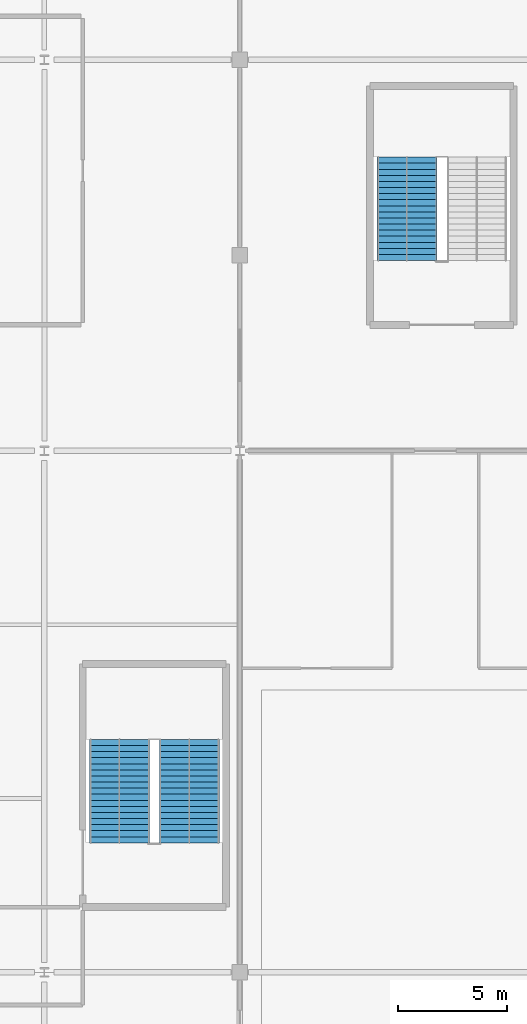
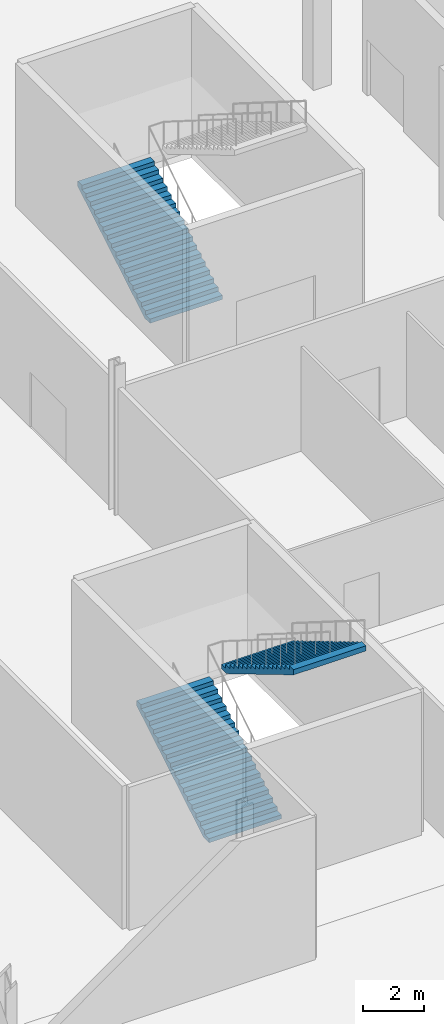
# One storey, part 59 of 84: 3 stair flights, 2 elements without a shape of their own.
"""IFC4 building model written with IfcOpenShell, lengths in metres."""

from ifc_helpers import new_model, si_unit, direction, frame, origin, place, context, subcontext, project, spatial, polygons, material, type_object, element, aggregate, save


model = new_model("IFC4")

# Units and contexts
model_context = context("Model", 3, precision=1e-05, world=origin(), true_north=direction((0.0, 1.0)))
body_context = subcontext(model_context, "Body", "Model", "MODEL_VIEW")
ifc_project = project(units=[si_unit("LENGTHUNIT", "METRE"), si_unit("AREAUNIT", "SQUARE_METRE"), si_unit("VOLUMEUNIT", "CUBIC_METRE"), si_unit("PLANEANGLEUNIT", "RADIAN"), si_unit("MASSUNIT", "GRAM", prefix="KILO")], contexts=[model_context])

# Site, building, storey
site_placement = place(None, origin())
site = spatial("IfcSite", under=ifc_project, at=site_placement, CompositionType="ELEMENT")
building_placement = place(site_placement, origin())
building = spatial("IfcBuilding", under=site, at=building_placement, Name="Kisiwana Market Hall", CompositionType="ELEMENT")
storey_placement = place(building_placement, origin())
storey = spatial("IfcBuildingStorey", under=building, at=storey_placement, Name="L00", CompositionType="ELEMENT", Elevation=0.0)

# Stair, stair flights
ifc_material_1 = material(Name="Concrete C32/40", Category="concrete")
stair_type = type_object("IfcStairType", Name="ST-ESC-6000", PredefinedType="TWO_STRAIGHT_RUN_STAIR", material=ifc_material_1)
stair_1_placement = place(storey_placement, origin())
stair_1 = element("IfcStair", 1, at=stair_1_placement, inside=storey, type_object=stair_type, Name="Escape stair ST-W10-L00", PredefinedType="TWO_STRAIGHT_RUN_STAIR")
ifc_material_2 = material(Name="Concrete C32/40", Category="concrete")
stair_flight_type = type_object("IfcStairFlightType", Name="SF-ESC-6000", PredefinedType="STRAIGHT", material=ifc_material_2)
stair_flight_1_placement = place(storey_placement, frame((39.4599609375, 65.9599609375, 0.0), z_axis=(0.0, 0.0, 1.0), x_axis=(0.0, 1.0, 0.0)))
stair_flight_1 = element("IfcStairFlight", 2, at=stair_flight_1_placement, type_object=stair_flight_type, Name="ST-W10-L00 flight 1", NumberOfRisers=18, NumberOfTreads=17, PredefinedType="STRAIGHT", RiserHeight=0.166667, TreadLength=0.28, context=body_context, shape_type="Tessellation", body=[
    polygons([(0.0, -1.380127, 0.0), (0.0, -0.690125, 0.0), (0.0, -0.000122, 0.0), (0.0, 0.68988, 0.0), (0.0, 1.379883, 0.0), (0.0, -1.380127, 0.166748), (0.0, -0.690125, 0.166748), (0.0, -0.000122, 0.166748), (0.0, 0.68988, 0.166748), (0.0, 1.379883, 0.166748), (0.280029, -1.380127, 0.166748), (0.280029, -0.690125, 0.166748), (0.280029, -0.000122, 0.166748), (0.280029, 0.68988, 0.166748), (0.280029, 1.379883, 0.166748), (0.280029, -1.380127, 0.333252), (0.280029, -0.690125, 0.333252), (0.280029, -0.000122, 0.333252), (0.280029, 0.68988, 0.333252), (0.280029, 1.379883, 0.333252), (0.560059, -1.380127, 0.333252), (0.560059, -0.690125, 0.333252), (0.560059, -0.000122, 0.333252), (0.560059, 0.68988, 0.333252), (0.560059, 1.379883, 0.333252), (0.560059, -1.380127, 0.5), (0.560059, -0.690125, 0.5), (0.560059, -0.000122, 0.5), (0.560059, 0.68988, 0.5), (0.560059, 1.379883, 0.5), (0.840088, -1.380127, 0.5), (0.840088, -0.690125, 0.5), (0.840088, -0.000122, 0.5), (0.840088, 0.68988, 0.5), (0.840088, 1.379883, 0.5), (0.840088, -1.380127, 0.666748), (0.840088, -0.690125, 0.666748), (0.840088, -0.000122, 0.666748), (0.840088, 0.68988, 0.666748), (0.840088, 1.379883, 0.666748), (1.120117, -1.380127, 0.666748), (1.120117, -0.690125, 0.666748), (1.120117, -0.000122, 0.666748), (1.120117, 0.68988, 0.666748), (1.120117, 1.379883, 0.666748), (1.120117, -1.380127, 0.833252), (1.120117, -0.690125, 0.833252), (1.120117, -0.000122, 0.833252), (1.120117, 0.68988, 0.833252), (1.120117, 1.379883, 0.833252), (1.399902, -1.380127, 0.833252), (1.399902, -0.690125, 0.833252), (1.399902, -0.000122, 0.833252), (1.399902, 0.68988, 0.833252), (1.399902, 1.379883, 0.833252), (1.399902, -1.380127, 1.0), (1.399902, -0.690125, 1.0), (1.399902, -0.000122, 1.0), (1.399902, 0.68988, 1.0), (1.399902, 1.379883, 1.0), (1.679932, -1.380127, 1.0), (1.679932, -0.690125, 1.0), (1.679932, -0.000122, 1.0), (1.679932, 0.68988, 1.0), (1.679932, 1.379883, 1.0), (1.679932, -1.380127, 1.166748), (1.679932, -0.690125, 1.166748), (1.679932, -0.000122, 1.166748), (1.679932, 0.68988, 1.166748), (1.679932, 1.379883, 1.166748), (1.959961, -1.380127, 1.166748), (1.959961, -0.690125, 1.166748), (1.959961, -0.000122, 1.166748), (1.959961, 0.68988, 1.166748), (1.959961, 1.379883, 1.166748), (1.959961, -1.380127, 1.333252), (1.959961, -0.690125, 1.333252), (1.959961, -0.000122, 1.333252), (1.959961, 0.68988, 1.333252), (1.959961, 1.379883, 1.333252), (2.23999, -1.380127, 1.333252), (2.23999, -0.690125, 1.333252), (2.23999, -0.000122, 1.333252), (2.23999, 0.68988, 1.333252), (2.23999, 1.379883, 1.333252), (2.23999, -1.380127, 1.5), (2.23999, -0.690125, 1.5), (2.23999, -0.000122, 1.5), (2.23999, 0.68988, 1.5), (2.23999, 1.379883, 1.5), (2.52002, -1.380127, 1.5), (2.52002, -0.690125, 1.5), (2.52002, -0.000122, 1.5), (2.52002, 0.68988, 1.5), (2.52002, 1.379883, 1.5), (2.52002, -1.380127, 1.666748), (2.52002, -0.690125, 1.666748), (2.52002, -0.000122, 1.666748), (2.52002, 0.68988, 1.666748), (2.52002, 1.379883, 1.666748), (2.800049, -1.380127, 1.666748), (2.800049, -0.690125, 1.666748), (2.800049, -0.000122, 1.666748), (2.800049, 0.68988, 1.666748), (2.800049, 1.379883, 1.666748), (2.800049, -1.380127, 1.833252), (2.800049, -0.690125, 1.833252), (2.800049, -0.000122, 1.833252), (2.800049, 0.68988, 1.833252), (2.800049, 1.379883, 1.833252), (3.080078, -1.380127, 1.833252), (3.080078, -0.690125, 1.833252), (3.080078, -0.000122, 1.833252), (3.080078, 0.68988, 1.833252), (3.080078, 1.379883, 1.833252), (3.080078, -1.380127, 2.0), (3.080078, -0.690125, 2.0), (3.080078, -0.000122, 2.0), (3.080078, 0.68988, 2.0), (3.080078, 1.379883, 2.0), (3.360107, -1.380127, 2.0), (3.360107, -0.690125, 2.0), (3.360107, -0.000122, 2.0), (3.360107, 0.68988, 2.0), (3.360107, 1.379883, 2.0), (3.360107, -1.380127, 2.166748), (3.360107, -0.690125, 2.166748), (3.360107, -0.000122, 2.166748), (3.360107, 0.68988, 2.166748), (3.360107, 1.379883, 2.166748), (3.639893, -1.380127, 2.166748), (3.639893, -0.690125, 2.166748), (3.639893, -0.000122, 2.166748), (3.639893, 0.68988, 2.166748), (3.639893, 1.379883, 2.166748), (3.639893, -1.380127, 2.333252), (3.639893, -0.690125, 2.333252), (3.639893, -0.000122, 2.333252), (3.639893, 0.68988, 2.333252), (3.639893, 1.379883, 2.333252), (3.919922, -1.380127, 2.333252), (3.919922, -0.690125, 2.333252), (3.919922, -0.000122, 2.333252), (3.919922, 0.68988, 2.333252), (3.919922, 1.379883, 2.333252), (3.919922, -1.380127, 2.5), (3.919922, -0.690125, 2.5), (3.919922, -0.000122, 2.5), (3.919922, 0.68988, 2.5), (3.919922, 1.379883, 2.5), (4.199951, -1.380127, 2.5), (4.199951, -0.690125, 2.5), (4.199951, -0.000122, 2.5), (4.199951, 0.68988, 2.5), (4.199951, 1.379883, 2.5), (4.199951, -1.380127, 2.666748), (4.199951, -0.690125, 2.666748), (4.199951, -0.000122, 2.666748), (4.199951, 0.68988, 2.666748), (4.199951, 1.379883, 2.666748), (4.47998, -1.380127, 2.666748), (4.47998, -0.690125, 2.666748), (4.47998, -0.000122, 2.666748), (4.47998, 0.68988, 2.666748), (4.47998, 1.379883, 2.666748), (4.47998, -1.380127, 2.833252), (4.47998, -0.690125, 2.833252), (4.47998, -0.000122, 2.833252), (4.47998, 0.68988, 2.833252), (4.47998, 1.379883, 2.833252), (4.76001, -1.380127, 2.833252), (4.76001, -0.690125, 2.833252), (4.76001, -0.000122, 2.833252), (4.76001, 0.68988, 2.833252), (4.76001, 1.379883, 2.833252), (4.76001, -1.380127, 2.624023), (4.76001, -0.690125, 2.624023), (4.76001, -0.000122, 2.624023), (4.76001, 0.68988, 2.624023), (4.76001, 1.379883, 2.624023), (0.351807, -1.380127, 0.0), (0.351807, -0.690125, 0.0), (0.351807, -0.000122, 0.0), (0.351807, 0.68988, 0.0), (0.351807, 1.379883, 0.0)], [[[1, 6, 7, 2]], [[2, 7, 8, 3]], [[3, 8, 9, 4]], [[4, 9, 10, 5]], [[6, 11, 12, 7]], [[7, 12, 13, 8]], [[8, 13, 14, 9]], [[9, 14, 15, 10]], [[11, 16, 17, 12]], [[12, 17, 18, 13]], [[13, 18, 19, 14]], [[14, 19, 20, 15]], [[16, 21, 22, 17]], [[17, 22, 23, 18]], [[18, 23, 24, 19]], [[19, 24, 25, 20]], [[21, 26, 27, 22]], [[22, 27, 28, 23]], [[23, 28, 29, 24]], [[24, 29, 30, 25]], [[26, 31, 32, 27]], [[27, 32, 33, 28]], [[28, 33, 34, 29]], [[29, 34, 35, 30]], [[31, 36, 37, 32]], [[32, 37, 38, 33]], [[33, 38, 39, 34]], [[34, 39, 40, 35]], [[36, 41, 42, 37]], [[37, 42, 43, 38]], [[38, 43, 44, 39]], [[39, 44, 45, 40]], [[41, 46, 47, 42]], [[42, 47, 48, 43]], [[43, 48, 49, 44]], [[44, 49, 50, 45]], [[46, 51, 52, 47]], [[47, 52, 53, 48]], [[48, 53, 54, 49]], [[49, 54, 55, 50]], [[51, 56, 57, 52]], [[52, 57, 58, 53]], [[53, 58, 59, 54]], [[54, 59, 60, 55]], [[56, 61, 62, 57]], [[57, 62, 63, 58]], [[58, 63, 64, 59]], [[59, 64, 65, 60]], [[61, 66, 67, 62]], [[62, 67, 68, 63]], [[63, 68, 69, 64]], [[64, 69, 70, 65]], [[66, 71, 72, 67]], [[67, 72, 73, 68]], [[68, 73, 74, 69]], [[69, 74, 75, 70]], [[71, 76, 77, 72]], [[72, 77, 78, 73]], [[73, 78, 79, 74]], [[74, 79, 80, 75]], [[76, 81, 82, 77]], [[77, 82, 83, 78]], [[78, 83, 84, 79]], [[79, 84, 85, 80]], [[81, 86, 87, 82]], [[82, 87, 88, 83]], [[83, 88, 89, 84]], [[84, 89, 90, 85]], [[86, 91, 92, 87]], [[87, 92, 93, 88]], [[88, 93, 94, 89]], [[89, 94, 95, 90]], [[91, 96, 97, 92]], [[92, 97, 98, 93]], [[93, 98, 99, 94]], [[94, 99, 100, 95]], [[96, 101, 102, 97]], [[97, 102, 103, 98]], [[98, 103, 104, 99]], [[99, 104, 105, 100]], [[101, 106, 107, 102]], [[102, 107, 108, 103]], [[103, 108, 109, 104]], [[104, 109, 110, 105]], [[106, 111, 112, 107]], [[107, 112, 113, 108]], [[108, 113, 114, 109]], [[109, 114, 115, 110]], [[111, 116, 117, 112]], [[112, 117, 118, 113]], [[113, 118, 119, 114]], [[114, 119, 120, 115]], [[116, 121, 122, 117]], [[117, 122, 123, 118]], [[118, 123, 124, 119]], [[119, 124, 125, 120]], [[121, 126, 127, 122]], [[122, 127, 128, 123]], [[123, 128, 129, 124]], [[124, 129, 130, 125]], [[126, 131, 132, 127]], [[127, 132, 133, 128]], [[128, 133, 134, 129]], [[129, 134, 135, 130]], [[131, 136, 137, 132]], [[132, 137, 138, 133]], [[133, 138, 139, 134]], [[134, 139, 140, 135]], [[136, 141, 142, 137]], [[137, 142, 143, 138]], [[138, 143, 144, 139]], [[139, 144, 145, 140]], [[141, 146, 147, 142]], [[142, 147, 148, 143]], [[143, 148, 149, 144]], [[144, 149, 150, 145]], [[146, 151, 152, 147]], [[147, 152, 153, 148]], [[148, 153, 154, 149]], [[149, 154, 155, 150]], [[151, 156, 157, 152]], [[152, 157, 158, 153]], [[153, 158, 159, 154]], [[154, 159, 160, 155]], [[156, 161, 162, 157]], [[157, 162, 163, 158]], [[158, 163, 164, 159]], [[159, 164, 165, 160]], [[161, 166, 167, 162]], [[162, 167, 168, 163]], [[163, 168, 169, 164]], [[164, 169, 170, 165]], [[166, 171, 172, 167]], [[167, 172, 173, 168]], [[168, 173, 174, 169]], [[169, 174, 175, 170]], [[171, 176, 177, 172]], [[172, 177, 178, 173]], [[173, 178, 179, 174]], [[174, 179, 180, 175]], [[176, 181, 182, 177]], [[177, 182, 183, 178]], [[178, 183, 184, 179]], [[179, 184, 185, 180]], [[181, 1, 2, 182]], [[182, 2, 3, 183]], [[183, 3, 4, 184]], [[184, 4, 5, 185]], [[181, 176, 171, 166, 161, 156, 151, 146, 141, 136, 131, 126, 121, 116, 111, 106, 101, 96, 91, 86, 81, 76, 71, 66, 61, 56, 51, 46, 41, 36, 31, 26, 21, 16, 11, 6, 1]], [[5, 10, 15, 20, 25, 30, 35, 40, 45, 50, 55, 60, 65, 70, 75, 80, 85, 90, 95, 100, 105, 110, 115, 120, 125, 130, 135, 140, 145, 150, 155, 160, 165, 170, 175, 180, 185]]], closed=True),
])
stair_flight_2_placement = place(storey_placement, frame((42.679931640625, 70.719970703125, 3.0), z_axis=(0.0, 0.0, 1.0), x_axis=(0.0, -1.0, 0.0)))
stair_flight_2 = element("IfcStairFlight", 3, at=stair_flight_2_placement, type_object=stair_flight_type, Name="ST-W10-L00 flight 2", NumberOfRisers=18, NumberOfTreads=17, PredefinedType="STRAIGHT", RiserHeight=0.166667, TreadLength=0.28, context=body_context, shape_type="Tessellation", body=[
    polygons([(0.0, -1.380127, 0.0), (0.0, -0.690125, 0.0), (0.0, -0.000122, 0.0), (0.0, 0.68988, 0.0), (0.0, 1.379883, 0.0), (0.0, -1.380127, 0.166748), (0.0, -0.690125, 0.166748), (0.0, -0.000122, 0.166748), (0.0, 0.68988, 0.166748), (0.0, 1.379883, 0.166748), (0.280029, -1.380127, 0.166748), (0.280029, -0.690125, 0.166748), (0.280029, -0.000122, 0.166748), (0.280029, 0.68988, 0.166748), (0.280029, 1.379883, 0.166748), (0.280029, -1.380127, 0.333252), (0.280029, -0.690125, 0.333252), (0.280029, -0.000122, 0.333252), (0.280029, 0.68988, 0.333252), (0.280029, 1.379883, 0.333252), (0.560059, -1.380127, 0.333252), (0.560059, -0.690125, 0.333252), (0.560059, -0.000122, 0.333252), (0.560059, 0.68988, 0.333252), (0.560059, 1.379883, 0.333252), (0.560059, -1.380127, 0.5), (0.560059, -0.690125, 0.5), (0.560059, -0.000122, 0.5), (0.560059, 0.68988, 0.5), (0.560059, 1.379883, 0.5), (0.840088, -1.380127, 0.5), (0.840088, -0.690125, 0.5), (0.840088, -0.000122, 0.5), (0.840088, 0.68988, 0.5), (0.840088, 1.379883, 0.5), (0.840088, -1.380127, 0.666748), (0.840088, -0.690125, 0.666748), (0.840088, -0.000122, 0.666748), (0.840088, 0.68988, 0.666748), (0.840088, 1.379883, 0.666748), (1.120117, -1.380127, 0.666748), (1.120117, -0.690125, 0.666748), (1.120117, -0.000122, 0.666748), (1.120117, 0.68988, 0.666748), (1.120117, 1.379883, 0.666748), (1.120117, -1.380127, 0.833252), (1.120117, -0.690125, 0.833252), (1.120117, -0.000122, 0.833252), (1.120117, 0.68988, 0.833252), (1.120117, 1.379883, 0.833252), (1.399902, -1.380127, 0.833252), (1.399902, -0.690125, 0.833252), (1.399902, -0.000122, 0.833252), (1.399902, 0.68988, 0.833252), (1.399902, 1.379883, 0.833252), (1.399902, -1.380127, 1.0), (1.399902, -0.690125, 1.0), (1.399902, -0.000122, 1.0), (1.399902, 0.68988, 1.0), (1.399902, 1.379883, 1.0), (1.679932, -1.380127, 1.0), (1.679932, -0.690125, 1.0), (1.679932, -0.000122, 1.0), (1.679932, 0.68988, 1.0), (1.679932, 1.379883, 1.0), (1.679932, -1.380127, 1.166748), (1.679932, -0.690125, 1.166748), (1.679932, -0.000122, 1.166748), (1.679932, 0.68988, 1.166748), (1.679932, 1.379883, 1.166748), (1.959961, -1.380127, 1.166748), (1.959961, -0.690125, 1.166748), (1.959961, -0.000122, 1.166748), (1.959961, 0.68988, 1.166748), (1.959961, 1.379883, 1.166748), (1.959961, -1.380127, 1.333252), (1.959961, -0.690125, 1.333252), (1.959961, -0.000122, 1.333252), (1.959961, 0.68988, 1.333252), (1.959961, 1.379883, 1.333252), (2.23999, -1.380127, 1.333252), (2.23999, -0.690125, 1.333252), (2.23999, -0.000122, 1.333252), (2.23999, 0.68988, 1.333252), (2.23999, 1.379883, 1.333252), (2.23999, -1.380127, 1.5), (2.23999, -0.690125, 1.5), (2.23999, -0.000122, 1.5), (2.23999, 0.68988, 1.5), (2.23999, 1.379883, 1.5), (2.52002, -1.380127, 1.5), (2.52002, -0.690125, 1.5), (2.52002, -0.000122, 1.5), (2.52002, 0.68988, 1.5), (2.52002, 1.379883, 1.5), (2.52002, -1.380127, 1.666748), (2.52002, -0.690125, 1.666748), (2.52002, -0.000122, 1.666748), (2.52002, 0.68988, 1.666748), (2.52002, 1.379883, 1.666748), (2.800049, -1.380127, 1.666748), (2.800049, -0.690125, 1.666748), (2.800049, -0.000122, 1.666748), (2.800049, 0.68988, 1.666748), (2.800049, 1.379883, 1.666748), (2.800049, -1.380127, 1.833252), (2.800049, -0.690125, 1.833252), (2.800049, -0.000122, 1.833252), (2.800049, 0.68988, 1.833252), (2.800049, 1.379883, 1.833252), (3.080078, -1.380127, 1.833252), (3.080078, -0.690125, 1.833252), (3.080078, -0.000122, 1.833252), (3.080078, 0.68988, 1.833252), (3.080078, 1.379883, 1.833252), (3.080078, -1.380127, 2.0), (3.080078, -0.690125, 2.0), (3.080078, -0.000122, 2.0), (3.080078, 0.68988, 2.0), (3.080078, 1.379883, 2.0), (3.360107, -1.380127, 2.0), (3.360107, -0.690125, 2.0), (3.360107, -0.000122, 2.0), (3.360107, 0.68988, 2.0), (3.360107, 1.379883, 2.0), (3.360107, -1.380127, 2.166748), (3.360107, -0.690125, 2.166748), (3.360107, -0.000122, 2.166748), (3.360107, 0.68988, 2.166748), (3.360107, 1.379883, 2.166748), (3.639893, -1.380127, 2.166748), (3.639893, -0.690125, 2.166748), (3.639893, -0.000122, 2.166748), (3.639893, 0.68988, 2.166748), (3.639893, 1.379883, 2.166748), (3.639893, -1.380127, 2.333252), (3.639893, -0.690125, 2.333252), (3.639893, -0.000122, 2.333252), (3.639893, 0.68988, 2.333252), (3.639893, 1.379883, 2.333252), (3.919922, -1.380127, 2.333252), (3.919922, -0.690125, 2.333252), (3.919922, -0.000122, 2.333252), (3.919922, 0.68988, 2.333252), (3.919922, 1.379883, 2.333252), (3.919922, -1.380127, 2.5), (3.919922, -0.690125, 2.5), (3.919922, -0.000122, 2.5), (3.919922, 0.68988, 2.5), (3.919922, 1.379883, 2.5), (4.199951, -1.380127, 2.5), (4.199951, -0.690125, 2.5), (4.199951, -0.000122, 2.5), (4.199951, 0.68988, 2.5), (4.199951, 1.379883, 2.5), (4.199951, -1.380127, 2.666748), (4.199951, -0.690125, 2.666748), (4.199951, -0.000122, 2.666748), (4.199951, 0.68988, 2.666748), (4.199951, 1.379883, 2.666748), (4.47998, -1.380127, 2.666748), (4.47998, -0.690125, 2.666748), (4.47998, -0.000122, 2.666748), (4.47998, 0.68988, 2.666748), (4.47998, 1.379883, 2.666748), (4.47998, -1.380127, 2.833252), (4.47998, -0.690125, 2.833252), (4.47998, -0.000122, 2.833252), (4.47998, 0.68988, 2.833252), (4.47998, 1.379883, 2.833252), (4.76001, -1.380127, 2.833252), (4.76001, -0.690125, 2.833252), (4.76001, -0.000122, 2.833252), (4.76001, 0.68988, 2.833252), (4.76001, 1.379883, 2.833252), (4.76001, -1.380127, 2.624023), (4.76001, -0.690125, 2.624023), (4.76001, -0.000122, 2.624023), (4.76001, 0.68988, 2.624023), (4.76001, 1.379883, 2.624023), (0.351807, -1.380127, 0.0), (0.351807, -0.690125, 0.0), (0.351807, -0.000122, 0.0), (0.351807, 0.68988, 0.0), (0.351807, 1.379883, 0.0)], [[[1, 6, 7, 2]], [[2, 7, 8, 3]], [[3, 8, 9, 4]], [[4, 9, 10, 5]], [[6, 11, 12, 7]], [[7, 12, 13, 8]], [[8, 13, 14, 9]], [[9, 14, 15, 10]], [[11, 16, 17, 12]], [[12, 17, 18, 13]], [[13, 18, 19, 14]], [[14, 19, 20, 15]], [[16, 21, 22, 17]], [[17, 22, 23, 18]], [[18, 23, 24, 19]], [[19, 24, 25, 20]], [[21, 26, 27, 22]], [[22, 27, 28, 23]], [[23, 28, 29, 24]], [[24, 29, 30, 25]], [[26, 31, 32, 27]], [[27, 32, 33, 28]], [[28, 33, 34, 29]], [[29, 34, 35, 30]], [[31, 36, 37, 32]], [[32, 37, 38, 33]], [[33, 38, 39, 34]], [[34, 39, 40, 35]], [[36, 41, 42, 37]], [[37, 42, 43, 38]], [[38, 43, 44, 39]], [[39, 44, 45, 40]], [[41, 46, 47, 42]], [[42, 47, 48, 43]], [[43, 48, 49, 44]], [[44, 49, 50, 45]], [[46, 51, 52, 47]], [[47, 52, 53, 48]], [[48, 53, 54, 49]], [[49, 54, 55, 50]], [[51, 56, 57, 52]], [[52, 57, 58, 53]], [[53, 58, 59, 54]], [[54, 59, 60, 55]], [[56, 61, 62, 57]], [[57, 62, 63, 58]], [[58, 63, 64, 59]], [[59, 64, 65, 60]], [[61, 66, 67, 62]], [[62, 67, 68, 63]], [[63, 68, 69, 64]], [[64, 69, 70, 65]], [[66, 71, 72, 67]], [[67, 72, 73, 68]], [[68, 73, 74, 69]], [[69, 74, 75, 70]], [[71, 76, 77, 72]], [[72, 77, 78, 73]], [[73, 78, 79, 74]], [[74, 79, 80, 75]], [[76, 81, 82, 77]], [[77, 82, 83, 78]], [[78, 83, 84, 79]], [[79, 84, 85, 80]], [[81, 86, 87, 82]], [[82, 87, 88, 83]], [[83, 88, 89, 84]], [[84, 89, 90, 85]], [[86, 91, 92, 87]], [[87, 92, 93, 88]], [[88, 93, 94, 89]], [[89, 94, 95, 90]], [[91, 96, 97, 92]], [[92, 97, 98, 93]], [[93, 98, 99, 94]], [[94, 99, 100, 95]], [[96, 101, 102, 97]], [[97, 102, 103, 98]], [[98, 103, 104, 99]], [[99, 104, 105, 100]], [[101, 106, 107, 102]], [[102, 107, 108, 103]], [[103, 108, 109, 104]], [[104, 109, 110, 105]], [[106, 111, 112, 107]], [[107, 112, 113, 108]], [[108, 113, 114, 109]], [[109, 114, 115, 110]], [[111, 116, 117, 112]], [[112, 117, 118, 113]], [[113, 118, 119, 114]], [[114, 119, 120, 115]], [[116, 121, 122, 117]], [[117, 122, 123, 118]], [[118, 123, 124, 119]], [[119, 124, 125, 120]], [[121, 126, 127, 122]], [[122, 127, 128, 123]], [[123, 128, 129, 124]], [[124, 129, 130, 125]], [[126, 131, 132, 127]], [[127, 132, 133, 128]], [[128, 133, 134, 129]], [[129, 134, 135, 130]], [[131, 136, 137, 132]], [[132, 137, 138, 133]], [[133, 138, 139, 134]], [[134, 139, 140, 135]], [[136, 141, 142, 137]], [[137, 142, 143, 138]], [[138, 143, 144, 139]], [[139, 144, 145, 140]], [[141, 146, 147, 142]], [[142, 147, 148, 143]], [[143, 148, 149, 144]], [[144, 149, 150, 145]], [[146, 151, 152, 147]], [[147, 152, 153, 148]], [[148, 153, 154, 149]], [[149, 154, 155, 150]], [[151, 156, 157, 152]], [[152, 157, 158, 153]], [[153, 158, 159, 154]], [[154, 159, 160, 155]], [[156, 161, 162, 157]], [[157, 162, 163, 158]], [[158, 163, 164, 159]], [[159, 164, 165, 160]], [[161, 166, 167, 162]], [[162, 167, 168, 163]], [[163, 168, 169, 164]], [[164, 169, 170, 165]], [[166, 171, 172, 167]], [[167, 172, 173, 168]], [[168, 173, 174, 169]], [[169, 174, 175, 170]], [[171, 176, 177, 172]], [[172, 177, 178, 173]], [[173, 178, 179, 174]], [[174, 179, 180, 175]], [[176, 181, 182, 177]], [[177, 182, 183, 178]], [[178, 183, 184, 179]], [[179, 184, 185, 180]], [[181, 1, 2, 182]], [[182, 2, 3, 183]], [[183, 3, 4, 184]], [[184, 4, 5, 185]], [[181, 176, 171, 166, 161, 156, 151, 146, 141, 136, 131, 126, 121, 116, 111, 106, 101, 96, 91, 86, 81, 76, 71, 66, 61, 56, 51, 46, 41, 36, 31, 26, 21, 16, 11, 6, 1]], [[5, 10, 15, 20, 25, 30, 35, 40, 45, 50, 55, 60, 65, 70, 75, 80, 85, 90, 95, 100, 105, 110, 115, 120, 125, 130, 135, 140, 145, 150, 155, 160, 165, 170, 175, 180, 185]]], closed=True),
])
aggregate(stair_1, [stair_flight_1, stair_flight_2])

# Stair, stair flight
stair_2_placement = place(storey_placement, origin())
stair_2 = element("IfcStair", 4, at=stair_2_placement, inside=storey, type_object=stair_type, Name="Escape stair ST-N3-L00", PredefinedType="TWO_STRAIGHT_RUN_STAIR")
stair_flight_3_placement = place(storey_placement, frame((52.68994140625, 92.760009765625, 0.0), z_axis=(0.0, 0.0, 1.0), x_axis=(0.0, 1.0, 0.0)))
stair_flight_3 = element("IfcStairFlight", 5, at=stair_flight_3_placement, type_object=stair_flight_type, Name="ST-N3-L00 flight 1", NumberOfRisers=18, NumberOfTreads=17, PredefinedType="STRAIGHT", RiserHeight=0.166667, TreadLength=0.28, context=body_context, shape_type="Tessellation", body=[
    polygons([(0.0, -1.380127, 0.0), (0.0, -0.690125, 0.0), (0.0, -0.000122, 0.0), (0.0, 0.68988, 0.0), (0.0, 1.379883, 0.0), (0.0, -1.380127, 0.166748), (0.0, -0.690125, 0.166748), (0.0, -0.000122, 0.166748), (0.0, 0.68988, 0.166748), (0.0, 1.379883, 0.166748), (0.280029, -1.380127, 0.166748), (0.280029, -0.690125, 0.166748), (0.280029, -0.000122, 0.166748), (0.280029, 0.68988, 0.166748), (0.280029, 1.379883, 0.166748), (0.280029, -1.380127, 0.333252), (0.280029, -0.690125, 0.333252), (0.280029, -0.000122, 0.333252), (0.280029, 0.68988, 0.333252), (0.280029, 1.379883, 0.333252), (0.560059, -1.380127, 0.333252), (0.560059, -0.690125, 0.333252), (0.560059, -0.000122, 0.333252), (0.560059, 0.68988, 0.333252), (0.560059, 1.379883, 0.333252), (0.560059, -1.380127, 0.5), (0.560059, -0.690125, 0.5), (0.560059, -0.000122, 0.5), (0.560059, 0.68988, 0.5), (0.560059, 1.379883, 0.5), (0.840088, -1.380127, 0.5), (0.840088, -0.690125, 0.5), (0.840088, -0.000122, 0.5), (0.840088, 0.68988, 0.5), (0.840088, 1.379883, 0.5), (0.840088, -1.380127, 0.666748), (0.840088, -0.690125, 0.666748), (0.840088, -0.000122, 0.666748), (0.840088, 0.68988, 0.666748), (0.840088, 1.379883, 0.666748), (1.120117, -1.380127, 0.666748), (1.120117, -0.690125, 0.666748), (1.120117, -0.000122, 0.666748), (1.120117, 0.68988, 0.666748), (1.120117, 1.379883, 0.666748), (1.120117, -1.380127, 0.833252), (1.120117, -0.690125, 0.833252), (1.120117, -0.000122, 0.833252), (1.120117, 0.68988, 0.833252), (1.120117, 1.379883, 0.833252), (1.399902, -1.380127, 0.833252), (1.399902, -0.690125, 0.833252), (1.399902, -0.000122, 0.833252), (1.399902, 0.68988, 0.833252), (1.399902, 1.379883, 0.833252), (1.399902, -1.380127, 1.0), (1.399902, -0.690125, 1.0), (1.399902, -0.000122, 1.0), (1.399902, 0.68988, 1.0), (1.399902, 1.379883, 1.0), (1.679932, -1.380127, 1.0), (1.679932, -0.690125, 1.0), (1.679932, -0.000122, 1.0), (1.679932, 0.68988, 1.0), (1.679932, 1.379883, 1.0), (1.679932, -1.380127, 1.166748), (1.679932, -0.690125, 1.166748), (1.679932, -0.000122, 1.166748), (1.679932, 0.68988, 1.166748), (1.679932, 1.379883, 1.166748), (1.959961, -1.380127, 1.166748), (1.959961, -0.690125, 1.166748), (1.959961, -0.000122, 1.166748), (1.959961, 0.68988, 1.166748), (1.959961, 1.379883, 1.166748), (1.959961, -1.380127, 1.333252), (1.959961, -0.690125, 1.333252), (1.959961, -0.000122, 1.333252), (1.959961, 0.68988, 1.333252), (1.959961, 1.379883, 1.333252), (2.23999, -1.380127, 1.333252), (2.23999, -0.690125, 1.333252), (2.23999, -0.000122, 1.333252), (2.23999, 0.68988, 1.333252), (2.23999, 1.379883, 1.333252), (2.23999, -1.380127, 1.5), (2.23999, -0.690125, 1.5), (2.23999, -0.000122, 1.5), (2.23999, 0.68988, 1.5), (2.23999, 1.379883, 1.5), (2.52002, -1.380127, 1.5), (2.52002, -0.690125, 1.5), (2.52002, -0.000122, 1.5), (2.52002, 0.68988, 1.5), (2.52002, 1.379883, 1.5), (2.52002, -1.380127, 1.666748), (2.52002, -0.690125, 1.666748), (2.52002, -0.000122, 1.666748), (2.52002, 0.68988, 1.666748), (2.52002, 1.379883, 1.666748), (2.800049, -1.380127, 1.666748), (2.800049, -0.690125, 1.666748), (2.800049, -0.000122, 1.666748), (2.800049, 0.68988, 1.666748), (2.800049, 1.379883, 1.666748), (2.800049, -1.380127, 1.833252), (2.800049, -0.690125, 1.833252), (2.800049, -0.000122, 1.833252), (2.800049, 0.68988, 1.833252), (2.800049, 1.379883, 1.833252), (3.080078, -1.380127, 1.833252), (3.080078, -0.690125, 1.833252), (3.080078, -0.000122, 1.833252), (3.080078, 0.68988, 1.833252), (3.080078, 1.379883, 1.833252), (3.080078, -1.380127, 2.0), (3.080078, -0.690125, 2.0), (3.080078, -0.000122, 2.0), (3.080078, 0.68988, 2.0), (3.080078, 1.379883, 2.0), (3.360107, -1.380127, 2.0), (3.360107, -0.690125, 2.0), (3.360107, -0.000122, 2.0), (3.360107, 0.68988, 2.0), (3.360107, 1.379883, 2.0), (3.360107, -1.380127, 2.166748), (3.360107, -0.690125, 2.166748), (3.360107, -0.000122, 2.166748), (3.360107, 0.68988, 2.166748), (3.360107, 1.379883, 2.166748), (3.639893, -1.380127, 2.166748), (3.639893, -0.690125, 2.166748), (3.639893, -0.000122, 2.166748), (3.639893, 0.68988, 2.166748), (3.639893, 1.379883, 2.166748), (3.639893, -1.380127, 2.333252), (3.639893, -0.690125, 2.333252), (3.639893, -0.000122, 2.333252), (3.639893, 0.68988, 2.333252), (3.639893, 1.379883, 2.333252), (3.919922, -1.380127, 2.333252), (3.919922, -0.690125, 2.333252), (3.919922, -0.000122, 2.333252), (3.919922, 0.68988, 2.333252), (3.919922, 1.379883, 2.333252), (3.919922, -1.380127, 2.5), (3.919922, -0.690125, 2.5), (3.919922, -0.000122, 2.5), (3.919922, 0.68988, 2.5), (3.919922, 1.379883, 2.5), (4.199951, -1.380127, 2.5), (4.199951, -0.690125, 2.5), (4.199951, -0.000122, 2.5), (4.199951, 0.68988, 2.5), (4.199951, 1.379883, 2.5), (4.199951, -1.380127, 2.666748), (4.199951, -0.690125, 2.666748), (4.199951, -0.000122, 2.666748), (4.199951, 0.68988, 2.666748), (4.199951, 1.379883, 2.666748), (4.47998, -1.380127, 2.666748), (4.47998, -0.690125, 2.666748), (4.47998, -0.000122, 2.666748), (4.47998, 0.68988, 2.666748), (4.47998, 1.379883, 2.666748), (4.47998, -1.380127, 2.833252), (4.47998, -0.690125, 2.833252), (4.47998, -0.000122, 2.833252), (4.47998, 0.68988, 2.833252), (4.47998, 1.379883, 2.833252), (4.76001, -1.380127, 2.833252), (4.76001, -0.690125, 2.833252), (4.76001, -0.000122, 2.833252), (4.76001, 0.68988, 2.833252), (4.76001, 1.379883, 2.833252), (4.76001, -1.380127, 2.624023), (4.76001, -0.690125, 2.624023), (4.76001, -0.000122, 2.624023), (4.76001, 0.68988, 2.624023), (4.76001, 1.379883, 2.624023), (0.351807, -1.380127, 0.0), (0.351807, -0.690125, 0.0), (0.351807, -0.000122, 0.0), (0.351807, 0.68988, 0.0), (0.351807, 1.379883, 0.0)], [[[1, 6, 7, 2]], [[2, 7, 8, 3]], [[3, 8, 9, 4]], [[4, 9, 10, 5]], [[6, 11, 12, 7]], [[7, 12, 13, 8]], [[8, 13, 14, 9]], [[9, 14, 15, 10]], [[11, 16, 17, 12]], [[12, 17, 18, 13]], [[13, 18, 19, 14]], [[14, 19, 20, 15]], [[16, 21, 22, 17]], [[17, 22, 23, 18]], [[18, 23, 24, 19]], [[19, 24, 25, 20]], [[21, 26, 27, 22]], [[22, 27, 28, 23]], [[23, 28, 29, 24]], [[24, 29, 30, 25]], [[26, 31, 32, 27]], [[27, 32, 33, 28]], [[28, 33, 34, 29]], [[29, 34, 35, 30]], [[31, 36, 37, 32]], [[32, 37, 38, 33]], [[33, 38, 39, 34]], [[34, 39, 40, 35]], [[36, 41, 42, 37]], [[37, 42, 43, 38]], [[38, 43, 44, 39]], [[39, 44, 45, 40]], [[41, 46, 47, 42]], [[42, 47, 48, 43]], [[43, 48, 49, 44]], [[44, 49, 50, 45]], [[46, 51, 52, 47]], [[47, 52, 53, 48]], [[48, 53, 54, 49]], [[49, 54, 55, 50]], [[51, 56, 57, 52]], [[52, 57, 58, 53]], [[53, 58, 59, 54]], [[54, 59, 60, 55]], [[56, 61, 62, 57]], [[57, 62, 63, 58]], [[58, 63, 64, 59]], [[59, 64, 65, 60]], [[61, 66, 67, 62]], [[62, 67, 68, 63]], [[63, 68, 69, 64]], [[64, 69, 70, 65]], [[66, 71, 72, 67]], [[67, 72, 73, 68]], [[68, 73, 74, 69]], [[69, 74, 75, 70]], [[71, 76, 77, 72]], [[72, 77, 78, 73]], [[73, 78, 79, 74]], [[74, 79, 80, 75]], [[76, 81, 82, 77]], [[77, 82, 83, 78]], [[78, 83, 84, 79]], [[79, 84, 85, 80]], [[81, 86, 87, 82]], [[82, 87, 88, 83]], [[83, 88, 89, 84]], [[84, 89, 90, 85]], [[86, 91, 92, 87]], [[87, 92, 93, 88]], [[88, 93, 94, 89]], [[89, 94, 95, 90]], [[91, 96, 97, 92]], [[92, 97, 98, 93]], [[93, 98, 99, 94]], [[94, 99, 100, 95]], [[96, 101, 102, 97]], [[97, 102, 103, 98]], [[98, 103, 104, 99]], [[99, 104, 105, 100]], [[101, 106, 107, 102]], [[102, 107, 108, 103]], [[103, 108, 109, 104]], [[104, 109, 110, 105]], [[106, 111, 112, 107]], [[107, 112, 113, 108]], [[108, 113, 114, 109]], [[109, 114, 115, 110]], [[111, 116, 117, 112]], [[112, 117, 118, 113]], [[113, 118, 119, 114]], [[114, 119, 120, 115]], [[116, 121, 122, 117]], [[117, 122, 123, 118]], [[118, 123, 124, 119]], [[119, 124, 125, 120]], [[121, 126, 127, 122]], [[122, 127, 128, 123]], [[123, 128, 129, 124]], [[124, 129, 130, 125]], [[126, 131, 132, 127]], [[127, 132, 133, 128]], [[128, 133, 134, 129]], [[129, 134, 135, 130]], [[131, 136, 137, 132]], [[132, 137, 138, 133]], [[133, 138, 139, 134]], [[134, 139, 140, 135]], [[136, 141, 142, 137]], [[137, 142, 143, 138]], [[138, 143, 144, 139]], [[139, 144, 145, 140]], [[141, 146, 147, 142]], [[142, 147, 148, 143]], [[143, 148, 149, 144]], [[144, 149, 150, 145]], [[146, 151, 152, 147]], [[147, 152, 153, 148]], [[148, 153, 154, 149]], [[149, 154, 155, 150]], [[151, 156, 157, 152]], [[152, 157, 158, 153]], [[153, 158, 159, 154]], [[154, 159, 160, 155]], [[156, 161, 162, 157]], [[157, 162, 163, 158]], [[158, 163, 164, 159]], [[159, 164, 165, 160]], [[161, 166, 167, 162]], [[162, 167, 168, 163]], [[163, 168, 169, 164]], [[164, 169, 170, 165]], [[166, 171, 172, 167]], [[167, 172, 173, 168]], [[168, 173, 174, 169]], [[169, 174, 175, 170]], [[171, 176, 177, 172]], [[172, 177, 178, 173]], [[173, 178, 179, 174]], [[174, 179, 180, 175]], [[176, 181, 182, 177]], [[177, 182, 183, 178]], [[178, 183, 184, 179]], [[179, 184, 185, 180]], [[181, 1, 2, 182]], [[182, 2, 3, 183]], [[183, 3, 4, 184]], [[184, 4, 5, 185]], [[181, 176, 171, 166, 161, 156, 151, 146, 141, 136, 131, 126, 121, 116, 111, 106, 101, 96, 91, 86, 81, 76, 71, 66, 61, 56, 51, 46, 41, 36, 31, 26, 21, 16, 11, 6, 1]], [[5, 10, 15, 20, 25, 30, 35, 40, 45, 50, 55, 60, 65, 70, 75, 80, 85, 90, 95, 100, 105, 110, 115, 120, 125, 130, 135, 140, 145, 150, 155, 160, 165, 170, 175, 180, 185]]], closed=True),
])
aggregate(stair_2, [stair_flight_3])

save(model, "model.ifc")
